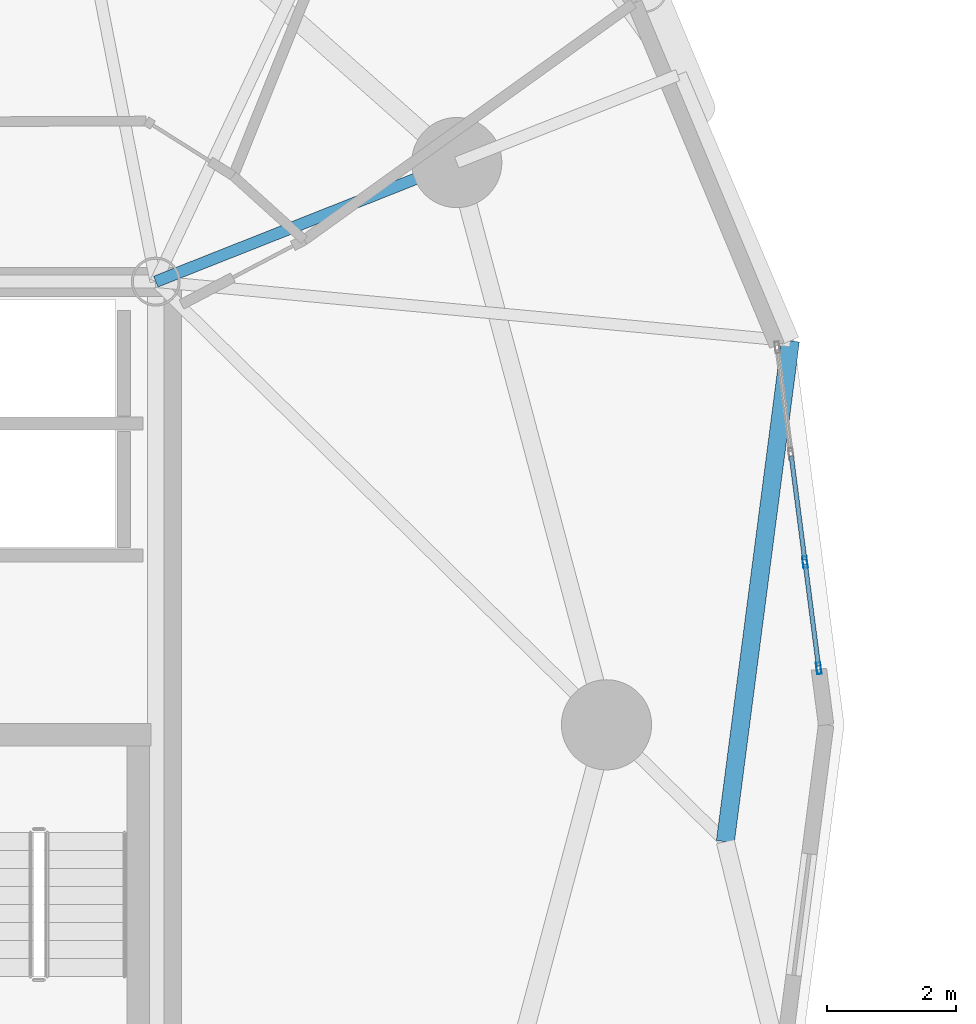
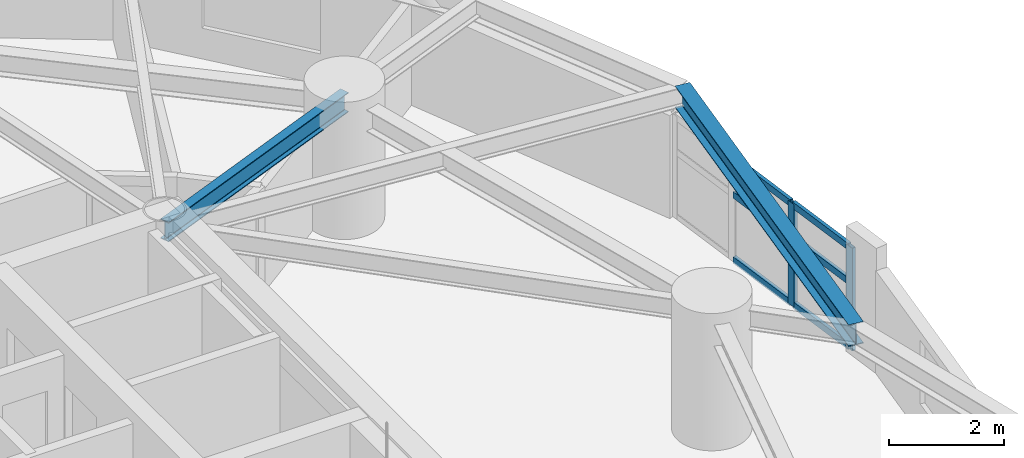
# One storey, part 2 of 17: 8 members, 2 beams, 1 element without a shape of its own.
"""IFC4 building model written with IfcOpenShell, lengths in metres."""

from ifc_helpers import new_model, si_unit, direction, frame, origin, origin_2d, place, context, subcontext, project, spatial, hollow_rectangle, i_section, extrude, material, layer, layer_set, material_profile, profile_set, type_object, element, aggregate, save


model = new_model("IFC4")

# Units and contexts
model_context = context("Model", 3, precision=1e-05, world=origin(), true_north=direction((0.0, 1.0)))
body_context = subcontext(model_context, "Body", "Model", "MODEL_VIEW")
ifc_project = project(units=[si_unit("LENGTHUNIT", "METRE"), si_unit("AREAUNIT", "SQUARE_METRE"), si_unit("VOLUMEUNIT", "CUBIC_METRE"), si_unit("PLANEANGLEUNIT", "RADIAN"), si_unit("MASSUNIT", "GRAM", prefix="KILO")], contexts=[model_context])

# Site, building, storey
site_placement = place(None, origin())
site = spatial("IfcSite", under=ifc_project, at=site_placement, CompositionType="ELEMENT")
building_placement = place(site_placement, origin())
building = spatial("IfcBuilding", under=site, at=building_placement, Name="Cununo Teusaquillo Station Towers", CompositionType="ELEMENT")
storey_placement = place(building_placement, frame((0.0, 0.0, 116.7099609375)))
storey = spatial("IfcBuildingStorey", under=building, at=storey_placement, Name="L37", CompositionType="ELEMENT", Elevation=116.7099609375)

# Beams
ifc_material_1 = material(Name="Steel ASTM A572 Grade 50", Category="steel")
ifc_material_profile_1 = material_profile(ifc_material_1, i_section(OverallWidth=0.180908203125, OverallDepth=0.4169921875, WebThickness=0.010986328125, FlangeThickness=0.018310546875, FilletRadius=0.012939453125, at=origin_2d()), Name="W16X57")
ifc_profile_set_1 = profile_set([ifc_material_profile_1], Name="Steel ASTM A572 Grade 50")
beam_type_1 = type_object("IfcBeamType", Name="BM-RAD-G2", PredefinedType="BEAM", material=ifc_profile_set_1)
beam_1_placement = place(storey_placement, frame((21.675048828125, 31.3798828125, 2.46142578125), z_axis=(0.929864104313, 0.367903176814, 0.0), x_axis=(-0.367903176814, 0.929864104313, 0.0)))
element("IfcBeam", 1, at=beam_1_placement, inside=storey, type_object=beam_type_1, Name="L37 Tower A Radial Girder 02A", PredefinedType="BEAM", context=body_context, shape_type="SweptSolid", body=[
    extrude(i_section(OverallWidth=0.180908203125, OverallDepth=0.4169921875, WebThickness=0.010986328125, FlangeThickness=0.018310546875, FilletRadius=0.012939453125, at=origin_2d()), origin(), (0.0, 0.0, 1.0), 5.02490234375),
])
ifc_material_2 = material(Name="Steel ASTM A572 Grade 50", Category="steel")
ifc_material_profile_2 = material_profile(ifc_material_2, i_section(OverallWidth=0.280029296875, OverallDepth=0.462890625, WebThickness=0.0107421875, FlangeThickness=0.017333984375, FilletRadius=0.013916015625, at=origin_2d()), Name="W18X76")
ifc_profile_set_2 = profile_set([ifc_material_profile_2], Name="Steel ASTM A572 Grade 50")
beam_type_2 = type_object("IfcBeamType", Name="BM-RING-Z2", PredefinedType="SPANDREL", material=ifc_profile_set_2)
beam_2_placement = place(storey_placement, frame((30.51708984375, 22.685791015625, 2.4384765625), z_axis=(0.12888124113, 0.991660035337, 0.0), x_axis=(-0.991660035337, 0.12888124113, 0.0)))
element("IfcBeam", 2, at=beam_2_placement, inside=storey, type_object=beam_type_2, Name="L37 Tower A Spandrel Ring Beam 01", PredefinedType="SPANDREL", context=body_context, shape_type="SweptSolid", body=[
    extrude(i_section(OverallWidth=0.280029296875, OverallDepth=0.462890625, WebThickness=0.0107421875, FlangeThickness=0.017333984375, FilletRadius=0.013916015625, at=origin_2d()), origin(), (0.0, 0.0, 1.0), 7.840576171875),
])

# Curtain wall, members
ifc_material_3 = material(Name="Ceramic-fritted dark low-E double glazing", Category="glass")
ifc_layer = layer(ifc_material_3, 0.179931640625)
ifc_layer_set = layer_set([ifc_layer], Name="Ceramic-fritted dark low-E double glazing")
curtain_wall_type = type_object("IfcCurtainWallType", Name="CW-SYS-04", PredefinedType="USERDEFINED", material=ifc_layer_set)
curtain_wall_placement = place(storey_placement, origin())
curtain_wall = element("IfcCurtainWall", 3, at=curtain_wall_placement, inside=storey, type_object=curtain_wall_type, Name="L37 Tower A Facade Curtain Wall C00", ObjectType="FRITTED GLAZING", PredefinedType="USERDEFINED")
ifc_material_4 = material(Name="Anodised dark bronze aluminium EN AW-6063-T6", Category="aluminium")
ifc_material_profile_3 = material_profile(ifc_material_4, hollow_rectangle(XDim=0.070068359375, YDim=0.179931640625, WallThickness=0.00390625, at=origin_2d()), Name="CW-MULL-70x180")
ifc_profile_set_3 = profile_set([ifc_material_profile_3], Name="Anodised dark bronze aluminium EN AW-6063-T6")
member_type_1 = type_object("IfcMemberType", Name="CWM-180", PredefinedType="MULLION", material=ifc_profile_set_3)
member_1_placement = place(storey_placement, frame((31.754150390625, 27.0263671875, 0.0), z_axis=(0.0, 0.0, 1.0), x_axis=(0.991730764367, 0.128335852387, 0.0)))
member_1 = element("IfcMember", 4, at=member_1_placement, type_object=member_type_1, Name="CW-04 mullion 3", PredefinedType="MULLION", context=body_context, shape_type="SweptSolid", body=[
    extrude(hollow_rectangle(XDim=0.070068359375, YDim=0.179931640625, WallThickness=0.00390625, at=origin_2d()), origin(), (0.0, 0.0, 1.0), 2.178955078125),
])
member_2_placement = place(storey_placement, frame((31.967529296875, 25.377685546875, 0.0), z_axis=(0.0, 0.0, 1.0), x_axis=(0.991730764367, 0.128335852387, 0.0)))
member_2 = element("IfcMember", 5, at=member_2_placement, type_object=member_type_1, Name="CW-04 mullion 4", PredefinedType="MULLION", context=body_context, shape_type="SweptSolid", body=[
    extrude(hollow_rectangle(XDim=0.070068359375, YDim=0.179931640625, WallThickness=0.00390625, at=origin_2d()), origin(), (0.0, 0.0, 1.0), 2.178955078125),
])
ifc_material_5 = material(Name="Anodised dark bronze aluminium EN AW-6063-T6", Category="aluminium")
ifc_material_profile_4 = material_profile(ifc_material_5, hollow_rectangle(XDim=0.070068359375, YDim=0.139892578125, WallThickness=0.00390625, at=origin_2d()), Name="CW-TRAN-70x140")
ifc_profile_set_4 = profile_set([ifc_material_profile_4], Name="Anodised dark bronze aluminium EN AW-6063-T6")
member_type_2 = type_object("IfcMemberType", Name="CWT-140", PredefinedType="USERDEFINED", material=ifc_profile_set_4)
member_3_placement = place(storey_placement, frame((31.540771484375, 28.675048828125, 0.03515625), z_axis=(0.128261686134, -0.991740359101, 0.0), x_axis=(0.991740359101, 0.128261686134, 0.0)))
member_3 = element("IfcMember", 6, at=member_3_placement, type_object=member_type_2, Name="CW-04 transom 2.1", ObjectType="TRANSOM", PredefinedType="USERDEFINED", context=body_context, shape_type="SweptSolid", body=[
    extrude(hollow_rectangle(XDim=0.070068359375, YDim=0.139892578125, WallThickness=0.00390625, at=origin_2d()), origin(), (0.0, 0.0, 1.0), 1.62744140625),
])
member_4_placement = place(storey_placement, frame((31.540771484375, 28.675048828125, 1.416015625), z_axis=(0.128261686134, -0.991740359101, 0.0), x_axis=(0.991740359101, 0.128261686134, 0.0)))
member_4 = element("IfcMember", 7, at=member_4_placement, type_object=member_type_2, Name="CW-04 transom 2.2", ObjectType="TRANSOM", PredefinedType="USERDEFINED", context=body_context, shape_type="SweptSolid", body=[
    extrude(hollow_rectangle(XDim=0.070068359375, YDim=0.139892578125, WallThickness=0.00390625, at=origin_2d()), origin(), (0.0, 0.0, 1.0), 1.62744140625),
])
member_5_placement = place(storey_placement, frame((31.540771484375, 28.675048828125, 2.14404296875), z_axis=(0.128261686134, -0.991740359101, 0.0), x_axis=(0.991740359101, 0.128261686134, 0.0)))
member_5 = element("IfcMember", 8, at=member_5_placement, type_object=member_type_2, Name="CW-04 transom 2.3", ObjectType="TRANSOM", PredefinedType="USERDEFINED", context=body_context, shape_type="SweptSolid", body=[
    extrude(hollow_rectangle(XDim=0.070068359375, YDim=0.139892578125, WallThickness=0.00390625, at=origin_2d()), origin(), (0.0, 0.0, 1.0), 1.62744140625),
])
member_6_placement = place(storey_placement, frame((31.758544921875, 26.99169921875, 0.03515625), z_axis=(0.128316698748, -0.991733242774, 0.0), x_axis=(0.991733242774, 0.128316698748, 0.0)))
member_6 = element("IfcMember", 9, at=member_6_placement, type_object=member_type_2, Name="CW-04 transom 3.1", ObjectType="TRANSOM", PredefinedType="USERDEFINED", context=body_context, shape_type="SweptSolid", body=[
    extrude(hollow_rectangle(XDim=0.070068359375, YDim=0.139892578125, WallThickness=0.00390625, at=origin_2d()), origin(), (0.0, 0.0, 1.0), 1.592529296875),
])
member_7_placement = place(storey_placement, frame((31.758544921875, 26.99169921875, 1.416015625), z_axis=(0.128316698748, -0.991733242774, 0.0), x_axis=(0.991733242774, 0.128316698748, 0.0)))
member_7 = element("IfcMember", 10, at=member_7_placement, type_object=member_type_2, Name="CW-04 transom 3.2", ObjectType="TRANSOM", PredefinedType="USERDEFINED", context=body_context, shape_type="SweptSolid", body=[
    extrude(hollow_rectangle(XDim=0.070068359375, YDim=0.139892578125, WallThickness=0.00390625, at=origin_2d()), origin(), (0.0, 0.0, 1.0), 1.592529296875),
])
member_8_placement = place(storey_placement, frame((31.758544921875, 26.99169921875, 2.14404296875), z_axis=(0.128316698748, -0.991733242774, 0.0), x_axis=(0.991733242774, 0.128316698748, 0.0)))
member_8 = element("IfcMember", 11, at=member_8_placement, type_object=member_type_2, Name="CW-04 transom 3.3", ObjectType="TRANSOM", PredefinedType="USERDEFINED", context=body_context, shape_type="SweptSolid", body=[
    extrude(hollow_rectangle(XDim=0.070068359375, YDim=0.139892578125, WallThickness=0.00390625, at=origin_2d()), origin(), (0.0, 0.0, 1.0), 1.592529296875),
])
aggregate(curtain_wall, [member_1, member_2, member_3, member_4, member_5, member_6, member_7, member_8])

save(model, "model.ifc")
